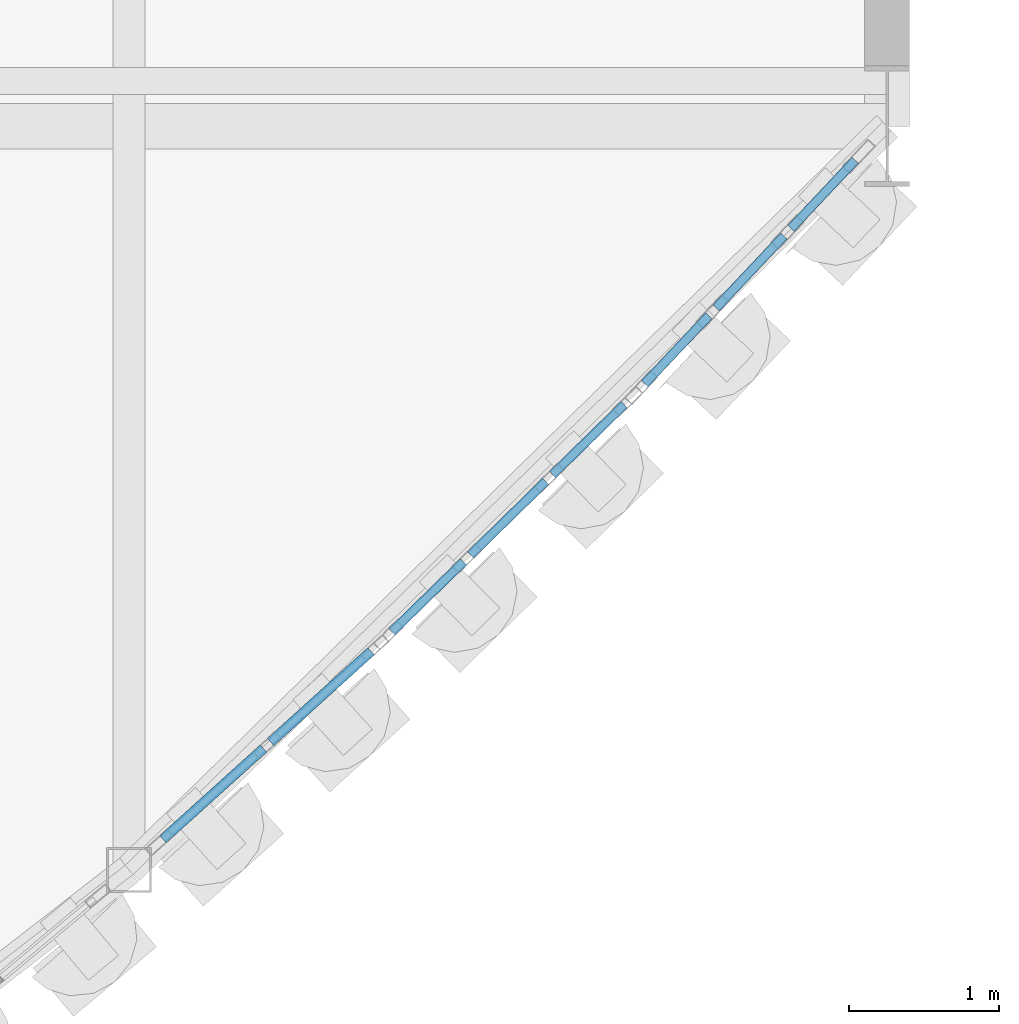
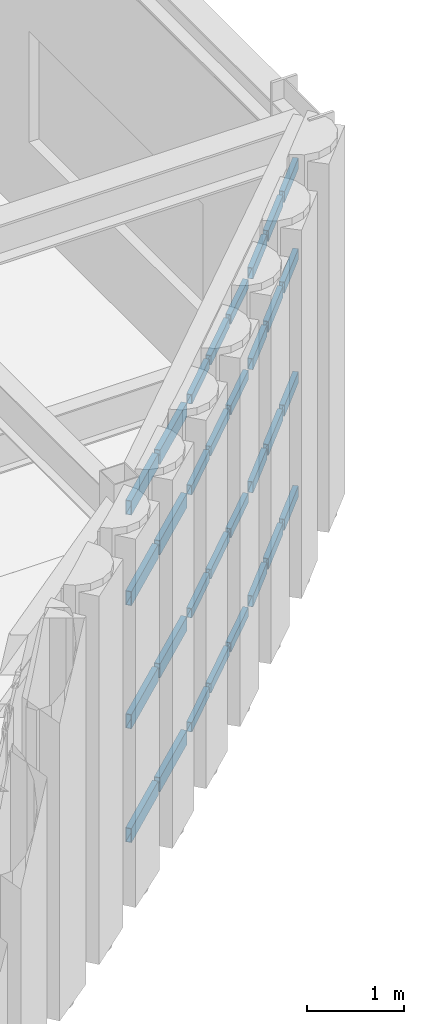
# One storey, part 73 of 121: 32 members, 3 elements without a shape of their own.
"""IFC4 building model written with IfcOpenShell, lengths in metres."""

from ifc_helpers import new_model, si_unit, direction, frame, origin, origin_2d, place, context, subcontext, project, spatial, hollow_rectangle, extrude, material, layer, layer_set, material_profile, profile_set, type_object, element, aggregate, save


model = new_model("IFC4")

# Units and contexts
model_context = context("Model", 3, precision=1e-05, world=origin(), true_north=direction((0.0, 1.0)))
body_context = subcontext(model_context, "Body", "Model", "MODEL_VIEW")
ifc_project = project(units=[si_unit("LENGTHUNIT", "METRE"), si_unit("AREAUNIT", "SQUARE_METRE"), si_unit("VOLUMEUNIT", "CUBIC_METRE"), si_unit("PLANEANGLEUNIT", "RADIAN"), si_unit("MASSUNIT", "GRAM", prefix="KILO")], contexts=[model_context])

# Site, building, storey
site_placement = place(None, origin())
site = spatial("IfcSite", under=ifc_project, at=site_placement, CompositionType="ELEMENT")
building_placement = place(site_placement, origin())
building = spatial("IfcBuilding", under=site, at=building_placement, Name="Solvadek Multi-Sports Hall", CompositionType="ELEMENT")
storey_placement = place(building_placement, frame((0.0, 0.0, 4.800048828125)))
storey = spatial("IfcBuildingStorey", under=building, at=storey_placement, Name="L01", CompositionType="ELEMENT", Elevation=4.800048828125)

# Curtain wall, members
ifc_material = material(Name="Anodised aluminium", Category="aluminium")
ifc_layer_1 = layer(ifc_material, 0.159912109375, Name="Anodised aluminium")
ifc_layer_set_1 = layer_set([ifc_layer_1], Name="Anodised aluminium")
curtain_wall_type_1 = type_object("IfcCurtainWallType", Name="ENV-CW-229X420", PredefinedType="USERDEFINED", material=ifc_layer_set_1)
curtain_wall_1_placement = place(storey_placement, origin())
curtain_wall_1 = element("IfcCurtainWall", 1, at=curtain_wall_1_placement, inside=storey, type_object=curtain_wall_type_1, Name="L01 Crescent Curved Curtain Wall #111", ObjectType="CURTAIN WALL", PredefinedType="USERDEFINED")
ifc_material_profile_1 = material_profile(ifc_material, hollow_rectangle(XDim=0.06005859375, YDim=0.1201171875, WallThickness=0.00390625, at=origin_2d()), Name="ALU-T 120x60x4")
ifc_profile_set_1 = profile_set([ifc_material_profile_1], Name="Anodised aluminium")
member_type_1 = type_object("IfcMemberType", Name="ENV-CWT-01", PredefinedType="USERDEFINED", material=ifc_profile_set_1)
member_1_placement = place(storey_placement, frame((133.5078125, 2.639892578125, 0.030029296875), z_axis=(0.715128871478, 0.698992630275, 0.0), x_axis=(-0.698992630275, 0.715128871478, 0.0)))
member_1 = element("IfcMember", 2, at=member_1_placement, type_object=member_type_1, Name="CW-36 transom 1.1", ObjectType="TRANSOM", PredefinedType="USERDEFINED", context=body_context, shape_type="SweptSolid", body=[
    extrude(hollow_rectangle(XDim=0.06005859375, YDim=0.1201171875, WallThickness=0.00390625, at=origin_2d()), origin(), (0.0, 0.0, 1.0), 0.665771484375),
])
member_2_placement = place(storey_placement, frame((133.5078125, 2.639892578125, 1.469970703125), z_axis=(0.715128871478, 0.698992630275, 0.0), x_axis=(-0.698992630275, 0.715128871478, 0.0)))
member_2 = element("IfcMember", 3, at=member_2_placement, type_object=member_type_1, Name="CW-36 transom 1.2", ObjectType="TRANSOM", PredefinedType="USERDEFINED", context=body_context, shape_type="SweptSolid", body=[
    extrude(hollow_rectangle(XDim=0.06005859375, YDim=0.1201171875, WallThickness=0.00390625, at=origin_2d()), origin(), (0.0, 0.0, 1.0), 0.665771484375),
])
member_3_placement = place(storey_placement, frame((133.5078125, 2.639892578125, 3.02392578125), z_axis=(0.715128871478, 0.698992630275, 0.0), x_axis=(-0.698992630275, 0.715128871478, 0.0)))
member_3 = element("IfcMember", 4, at=member_3_placement, type_object=member_type_1, Name="CW-36 transom 1.3", ObjectType="TRANSOM", PredefinedType="USERDEFINED", context=body_context, shape_type="SweptSolid", body=[
    extrude(hollow_rectangle(XDim=0.06005859375, YDim=0.1201171875, WallThickness=0.00390625, at=origin_2d()), origin(), (0.0, 0.0, 1.0), 0.665771484375),
])
member_4_placement = place(storey_placement, frame((133.5078125, 2.639892578125, 4.169921875), z_axis=(0.715128871478, 0.698992630275, 0.0), x_axis=(-0.698992630275, 0.715128871478, 0.0)))
member_4 = element("IfcMember", 5, at=member_4_placement, type_object=member_type_1, Name="CW-36 transom 1.4", ObjectType="TRANSOM", PredefinedType="USERDEFINED", context=body_context, shape_type="SweptSolid", body=[
    extrude(hollow_rectangle(XDim=0.06005859375, YDim=0.1201171875, WallThickness=0.00390625, at=origin_2d()), origin(), (0.0, 0.0, 1.0), 0.665771484375),
])
member_5_placement = place(storey_placement, frame((134.0302734375, 3.150634765625, 0.030029296875), z_axis=(0.714928995652, 0.699197061762, 0.0), x_axis=(-0.699197061762, 0.714928995652, 0.0)))
member_5 = element("IfcMember", 6, at=member_5_placement, type_object=member_type_1, Name="CW-36 transom 2.1", ObjectType="TRANSOM", PredefinedType="USERDEFINED", context=body_context, shape_type="SweptSolid", body=[
    extrude(hollow_rectangle(XDim=0.06005859375, YDim=0.1201171875, WallThickness=0.00390625, at=origin_2d()), origin(), (0.0, 0.0, 1.0), 0.6982421875),
])
member_6_placement = place(storey_placement, frame((134.0302734375, 3.150634765625, 1.469970703125), z_axis=(0.714928995652, 0.699197061762, 0.0), x_axis=(-0.699197061762, 0.714928995652, 0.0)))
member_6 = element("IfcMember", 7, at=member_6_placement, type_object=member_type_1, Name="CW-36 transom 2.2", ObjectType="TRANSOM", PredefinedType="USERDEFINED", context=body_context, shape_type="SweptSolid", body=[
    extrude(hollow_rectangle(XDim=0.06005859375, YDim=0.1201171875, WallThickness=0.00390625, at=origin_2d()), origin(), (0.0, 0.0, 1.0), 0.6982421875),
])
member_7_placement = place(storey_placement, frame((134.0302734375, 3.150634765625, 3.02392578125), z_axis=(0.714928995652, 0.699197061762, 0.0), x_axis=(-0.699197061762, 0.714928995652, 0.0)))
member_7 = element("IfcMember", 8, at=member_7_placement, type_object=member_type_1, Name="CW-36 transom 2.3", ObjectType="TRANSOM", PredefinedType="USERDEFINED", context=body_context, shape_type="SweptSolid", body=[
    extrude(hollow_rectangle(XDim=0.06005859375, YDim=0.1201171875, WallThickness=0.00390625, at=origin_2d()), origin(), (0.0, 0.0, 1.0), 0.6982421875),
])
member_8_placement = place(storey_placement, frame((134.0302734375, 3.150634765625, 4.169921875), z_axis=(0.714928995652, 0.699197061762, 0.0), x_axis=(-0.699197061762, 0.714928995652, 0.0)))
member_8 = element("IfcMember", 9, at=member_8_placement, type_object=member_type_1, Name="CW-36 transom 2.4", ObjectType="TRANSOM", PredefinedType="USERDEFINED", context=body_context, shape_type="SweptSolid", body=[
    extrude(hollow_rectangle(XDim=0.06005859375, YDim=0.1201171875, WallThickness=0.00390625, at=origin_2d()), origin(), (0.0, 0.0, 1.0), 0.6982421875),
])
member_9_placement = place(storey_placement, frame((134.576171875, 3.684326171875, 0.030029296875), z_axis=(0.714949618758, 0.699175974014, 0.0), x_axis=(-0.699175974014, 0.714949618758, 0.0)))
member_9 = element("IfcMember", 10, at=member_9_placement, type_object=member_type_1, Name="CW-36 transom 3.1", ObjectType="TRANSOM", PredefinedType="USERDEFINED", context=body_context, shape_type="SweptSolid", body=[
    extrude(hollow_rectangle(XDim=0.06005859375, YDim=0.1201171875, WallThickness=0.00390625, at=origin_2d()), origin(), (0.0, 0.0, 1.0), 0.66552734375),
])
member_10_placement = place(storey_placement, frame((134.576171875, 3.684326171875, 1.469970703125), z_axis=(0.714949618758, 0.699175974014, 0.0), x_axis=(-0.699175974014, 0.714949618758, 0.0)))
member_10 = element("IfcMember", 11, at=member_10_placement, type_object=member_type_1, Name="CW-36 transom 3.2", ObjectType="TRANSOM", PredefinedType="USERDEFINED", context=body_context, shape_type="SweptSolid", body=[
    extrude(hollow_rectangle(XDim=0.06005859375, YDim=0.1201171875, WallThickness=0.00390625, at=origin_2d()), origin(), (0.0, 0.0, 1.0), 0.66552734375),
])
member_11_placement = place(storey_placement, frame((134.576171875, 3.684326171875, 3.02392578125), z_axis=(0.714949618758, 0.699175974014, 0.0), x_axis=(-0.699175974014, 0.714949618758, 0.0)))
member_11 = element("IfcMember", 12, at=member_11_placement, type_object=member_type_1, Name="CW-36 transom 3.3", ObjectType="TRANSOM", PredefinedType="USERDEFINED", context=body_context, shape_type="SweptSolid", body=[
    extrude(hollow_rectangle(XDim=0.06005859375, YDim=0.1201171875, WallThickness=0.00390625, at=origin_2d()), origin(), (0.0, 0.0, 1.0), 0.66552734375),
])
member_12_placement = place(storey_placement, frame((134.576171875, 3.684326171875, 4.169921875), z_axis=(0.714949618758, 0.699175974014, 0.0), x_axis=(-0.699175974014, 0.714949618758, 0.0)))
member_12 = element("IfcMember", 13, at=member_12_placement, type_object=member_type_1, Name="CW-36 transom 3.4", ObjectType="TRANSOM", PredefinedType="USERDEFINED", context=body_context, shape_type="SweptSolid", body=[
    extrude(hollow_rectangle(XDim=0.06005859375, YDim=0.1201171875, WallThickness=0.00390625, at=origin_2d()), origin(), (0.0, 0.0, 1.0), 0.66552734375),
])
aggregate(curtain_wall_1, [member_1, member_2, member_3, member_4, member_5, member_6, member_7, member_8, member_9, member_10, member_11, member_12])

ifc_layer_2 = layer(ifc_material, 0.159912109375, Name="Anodised aluminium")
ifc_layer_set_2 = layer_set([ifc_layer_2], Name="Anodised aluminium")
curtain_wall_type_2 = type_object("IfcCurtainWallType", Name="ENV-CW-218X420", PredefinedType="USERDEFINED", material=ifc_layer_set_2)
curtain_wall_2_placement = place(storey_placement, origin())
curtain_wall_2 = element("IfcCurtainWall", 14, at=curtain_wall_2_placement, inside=storey, type_object=curtain_wall_type_2, Name="L01 Crescent Curved Curtain Wall #113", ObjectType="CURTAIN WALL", PredefinedType="USERDEFINED")
ifc_material_profile_2 = material_profile(ifc_material, hollow_rectangle(XDim=0.06005859375, YDim=0.139892578125, WallThickness=0.00390625, at=origin_2d()), Name="ALU-T 140x60x4")
ifc_profile_set_2 = profile_set([ifc_material_profile_2], Name="Anodised aluminium")
member_type_2 = type_object("IfcMemberType", Name="ENV-CWT-02", PredefinedType="USERDEFINED", material=ifc_profile_set_2)
member_13_placement = place(storey_placement, frame((135.1884765625, 4.288818359375, 0.030029296875), z_axis=(0.685793149258, 0.72779650757, 0.0), x_axis=(-0.72779650757, 0.685793149258, 0.0)))
member_13 = element("IfcMember", 15, at=member_13_placement, type_object=member_type_2, Name="CW-37 transom 1.1", ObjectType="TRANSOM", PredefinedType="USERDEFINED", context=body_context, shape_type="SweptSolid", body=[
    extrude(hollow_rectangle(XDim=0.06005859375, YDim=0.139892578125, WallThickness=0.00390625, at=origin_2d()), origin(), (0.0, 0.0, 1.0), 0.621826171875),
])
member_14_placement = place(storey_placement, frame((135.1884765625, 4.288818359375, 1.469970703125), z_axis=(0.685793149258, 0.72779650757, 0.0), x_axis=(-0.72779650757, 0.685793149258, 0.0)))
member_14 = element("IfcMember", 16, at=member_14_placement, type_object=member_type_2, Name="CW-37 transom 1.2", ObjectType="TRANSOM", PredefinedType="USERDEFINED", context=body_context, shape_type="SweptSolid", body=[
    extrude(hollow_rectangle(XDim=0.06005859375, YDim=0.139892578125, WallThickness=0.00390625, at=origin_2d()), origin(), (0.0, 0.0, 1.0), 0.621826171875),
])
member_15_placement = place(storey_placement, frame((135.1884765625, 4.288818359375, 3.02392578125), z_axis=(0.685793149258, 0.72779650757, 0.0), x_axis=(-0.72779650757, 0.685793149258, 0.0)))
member_15 = element("IfcMember", 17, at=member_15_placement, type_object=member_type_2, Name="CW-37 transom 1.3", ObjectType="TRANSOM", PredefinedType="USERDEFINED", context=body_context, shape_type="SweptSolid", body=[
    extrude(hollow_rectangle(XDim=0.06005859375, YDim=0.139892578125, WallThickness=0.00390625, at=origin_2d()), origin(), (0.0, 0.0, 1.0), 0.621826171875),
])
member_16_placement = place(storey_placement, frame((135.1884765625, 4.288818359375, 4.169921875), z_axis=(0.685793149258, 0.72779650757, 0.0), x_axis=(-0.72779650757, 0.685793149258, 0.0)))
member_16 = element("IfcMember", 18, at=member_16_placement, type_object=member_type_2, Name="CW-37 transom 1.4", ObjectType="TRANSOM", PredefinedType="USERDEFINED", context=body_context, shape_type="SweptSolid", body=[
    extrude(hollow_rectangle(XDim=0.06005859375, YDim=0.139892578125, WallThickness=0.00390625, at=origin_2d()), origin(), (0.0, 0.0, 1.0), 0.621826171875),
])
member_17_placement = place(storey_placement, frame((135.662841796875, 4.79248046875, 0.030029296875), z_axis=(0.685608077918, 0.727970853464, 0.0), x_axis=(-0.727970853464, 0.685608077918, 0.0)))
member_17 = element("IfcMember", 19, at=member_17_placement, type_object=member_type_2, Name="CW-37 transom 2.1", ObjectType="TRANSOM", PredefinedType="USERDEFINED", context=body_context, shape_type="SweptSolid", body=[
    extrude(hollow_rectangle(XDim=0.06005859375, YDim=0.139892578125, WallThickness=0.00390625, at=origin_2d()), origin(), (0.0, 0.0, 1.0), 0.656982421875),
])
member_18_placement = place(storey_placement, frame((135.662841796875, 4.79248046875, 1.469970703125), z_axis=(0.685608077918, 0.727970853464, 0.0), x_axis=(-0.727970853464, 0.685608077918, 0.0)))
member_18 = element("IfcMember", 20, at=member_18_placement, type_object=member_type_2, Name="CW-37 transom 2.2", ObjectType="TRANSOM", PredefinedType="USERDEFINED", context=body_context, shape_type="SweptSolid", body=[
    extrude(hollow_rectangle(XDim=0.06005859375, YDim=0.139892578125, WallThickness=0.00390625, at=origin_2d()), origin(), (0.0, 0.0, 1.0), 0.656982421875),
])
member_19_placement = place(storey_placement, frame((135.662841796875, 4.79248046875, 3.02392578125), z_axis=(0.685608077918, 0.727970853464, 0.0), x_axis=(-0.727970853464, 0.685608077918, 0.0)))
member_19 = element("IfcMember", 21, at=member_19_placement, type_object=member_type_2, Name="CW-37 transom 2.3", ObjectType="TRANSOM", PredefinedType="USERDEFINED", context=body_context, shape_type="SweptSolid", body=[
    extrude(hollow_rectangle(XDim=0.06005859375, YDim=0.139892578125, WallThickness=0.00390625, at=origin_2d()), origin(), (0.0, 0.0, 1.0), 0.656982421875),
])
member_20_placement = place(storey_placement, frame((135.662841796875, 4.79248046875, 4.169921875), z_axis=(0.685608077918, 0.727970853464, 0.0), x_axis=(-0.727970853464, 0.685608077918, 0.0)))
member_20 = element("IfcMember", 22, at=member_20_placement, type_object=member_type_2, Name="CW-37 transom 2.4", ObjectType="TRANSOM", PredefinedType="USERDEFINED", context=body_context, shape_type="SweptSolid", body=[
    extrude(hollow_rectangle(XDim=0.06005859375, YDim=0.139892578125, WallThickness=0.00390625, at=origin_2d()), origin(), (0.0, 0.0, 1.0), 0.656982421875),
])
member_21_placement = place(storey_placement, frame((136.1611328125, 5.321533203125, 0.030029296875), z_axis=(0.685389187864, 0.728176943578, 0.0), x_axis=(-0.728176943578, 0.685389187864, 0.0)))
member_21 = element("IfcMember", 23, at=member_21_placement, type_object=member_type_2, Name="CW-37 transom 3.1", ObjectType="TRANSOM", PredefinedType="USERDEFINED", context=body_context, shape_type="SweptSolid", body=[
    extrude(hollow_rectangle(XDim=0.06005859375, YDim=0.139892578125, WallThickness=0.00390625, at=origin_2d()), origin(), (0.0, 0.0, 1.0), 0.621826171875),
])
member_22_placement = place(storey_placement, frame((136.1611328125, 5.321533203125, 1.469970703125), z_axis=(0.685389187864, 0.728176943578, 0.0), x_axis=(-0.728176943578, 0.685389187864, 0.0)))
member_22 = element("IfcMember", 24, at=member_22_placement, type_object=member_type_2, Name="CW-37 transom 3.2", ObjectType="TRANSOM", PredefinedType="USERDEFINED", context=body_context, shape_type="SweptSolid", body=[
    extrude(hollow_rectangle(XDim=0.06005859375, YDim=0.139892578125, WallThickness=0.00390625, at=origin_2d()), origin(), (0.0, 0.0, 1.0), 0.621826171875),
])
member_23_placement = place(storey_placement, frame((136.1611328125, 5.321533203125, 3.02392578125), z_axis=(0.685389187864, 0.728176943578, 0.0), x_axis=(-0.728176943578, 0.685389187864, 0.0)))
member_23 = element("IfcMember", 25, at=member_23_placement, type_object=member_type_2, Name="CW-37 transom 3.3", ObjectType="TRANSOM", PredefinedType="USERDEFINED", context=body_context, shape_type="SweptSolid", body=[
    extrude(hollow_rectangle(XDim=0.06005859375, YDim=0.139892578125, WallThickness=0.00390625, at=origin_2d()), origin(), (0.0, 0.0, 1.0), 0.621826171875),
])
member_24_placement = place(storey_placement, frame((136.1611328125, 5.321533203125, 4.169921875), z_axis=(0.685389187864, 0.728176943578, 0.0), x_axis=(-0.728176943578, 0.685389187864, 0.0)))
member_24 = element("IfcMember", 26, at=member_24_placement, type_object=member_type_2, Name="CW-37 transom 3.4", ObjectType="TRANSOM", PredefinedType="USERDEFINED", context=body_context, shape_type="SweptSolid", body=[
    extrude(hollow_rectangle(XDim=0.06005859375, YDim=0.139892578125, WallThickness=0.00390625, at=origin_2d()), origin(), (0.0, 0.0, 1.0), 0.621826171875),
])
aggregate(curtain_wall_2, [member_13, member_14, member_15, member_16, member_17, member_18, member_19, member_20, member_21, member_22, member_23, member_24])

ifc_layer_3 = layer(ifc_material, 0.159912109375, Name="Anodised aluminium")
ifc_layer_set_3 = layer_set([ifc_layer_3], Name="Anodised aluminium")
curtain_wall_type_3 = type_object("IfcCurtainWallType", Name="ENV-CW-199X420", PredefinedType="USERDEFINED", material=ifc_layer_set_3)
curtain_wall_3_placement = place(storey_placement, origin())
curtain_wall_3 = element("IfcCurtainWall", 27, at=curtain_wall_3_placement, inside=storey, type_object=curtain_wall_type_3, Name="L01 Crescent Curved Curtain Wall #109", ObjectType="CURTAIN WALL", PredefinedType="USERDEFINED")
ifc_material_profile_3 = material_profile(ifc_material, hollow_rectangle(XDim=0.06494140625, YDim=0.179931640625, WallThickness=0.0048828125, at=origin_2d()), Name="ALU-T 180x65x5")
ifc_profile_set_3 = profile_set([ifc_material_profile_3], Name="Anodised aluminium")
member_type_3 = type_object("IfcMemberType", Name="ENV-CWT-04", PredefinedType="USERDEFINED", material=ifc_profile_set_3)
member_25_placement = place(storey_placement, frame((131.986328125, 1.2607421875, 0.032470703125), z_axis=(0.742159264626, 0.670223564141, 0.0), x_axis=(-0.670223564141, 0.742159264626, 0.0)))
member_25 = element("IfcMember", 28, at=member_25_placement, type_object=member_type_3, Name="CW-35 transom 1.1", ObjectType="TRANSOM", PredefinedType="USERDEFINED", context=body_context, shape_type="SweptSolid", body=[
    extrude(hollow_rectangle(XDim=0.06494140625, YDim=0.179931640625, WallThickness=0.0048828125, at=origin_2d()), origin(), (0.0, 0.0, 1.0), 0.8994140625),
])
member_26_placement = place(storey_placement, frame((131.986328125, 1.2607421875, 1.469970703125), z_axis=(0.742159264626, 0.670223564141, 0.0), x_axis=(-0.670223564141, 0.742159264626, 0.0)))
member_26 = element("IfcMember", 29, at=member_26_placement, type_object=member_type_3, Name="CW-35 transom 1.2", ObjectType="TRANSOM", PredefinedType="USERDEFINED", context=body_context, shape_type="SweptSolid", body=[
    extrude(hollow_rectangle(XDim=0.06494140625, YDim=0.179931640625, WallThickness=0.0048828125, at=origin_2d()), origin(), (0.0, 0.0, 1.0), 0.8994140625),
])
member_27_placement = place(storey_placement, frame((131.986328125, 1.2607421875, 3.02392578125), z_axis=(0.742159264626, 0.670223564141, 0.0), x_axis=(-0.670223564141, 0.742159264626, 0.0)))
member_27 = element("IfcMember", 30, at=member_27_placement, type_object=member_type_3, Name="CW-35 transom 1.3", ObjectType="TRANSOM", PredefinedType="USERDEFINED", context=body_context, shape_type="SweptSolid", body=[
    extrude(hollow_rectangle(XDim=0.06494140625, YDim=0.179931640625, WallThickness=0.0048828125, at=origin_2d()), origin(), (0.0, 0.0, 1.0), 0.8994140625),
])
member_28_placement = place(storey_placement, frame((131.986328125, 1.2607421875, 4.16748046875), z_axis=(0.742159264626, 0.670223564141, 0.0), x_axis=(-0.670223564141, 0.742159264626, 0.0)))
member_28 = element("IfcMember", 31, at=member_28_placement, type_object=member_type_3, Name="CW-35 transom 1.4", ObjectType="TRANSOM", PredefinedType="USERDEFINED", context=body_context, shape_type="SweptSolid", body=[
    extrude(hollow_rectangle(XDim=0.06494140625, YDim=0.179931640625, WallThickness=0.0048828125, at=origin_2d()), origin(), (0.0, 0.0, 1.0), 0.8994140625),
])
member_29_placement = place(storey_placement, frame((132.701904296875, 1.906982421875, 0.032470703125), z_axis=(0.742159264626, 0.670223564141, 0.0), x_axis=(-0.670223564141, 0.742159264626, 0.0)))
member_29 = element("IfcMember", 32, at=member_29_placement, type_object=member_type_3, Name="CW-35 transom 2.1", ObjectType="TRANSOM", PredefinedType="USERDEFINED", context=body_context, shape_type="SweptSolid", body=[
    extrude(hollow_rectangle(XDim=0.06494140625, YDim=0.179931640625, WallThickness=0.0048828125, at=origin_2d()), origin(), (0.0, 0.0, 1.0), 0.8994140625),
])
member_30_placement = place(storey_placement, frame((132.701904296875, 1.906982421875, 1.469970703125), z_axis=(0.742159264626, 0.670223564141, 0.0), x_axis=(-0.670223564141, 0.742159264626, 0.0)))
member_30 = element("IfcMember", 33, at=member_30_placement, type_object=member_type_3, Name="CW-35 transom 2.2", ObjectType="TRANSOM", PredefinedType="USERDEFINED", context=body_context, shape_type="SweptSolid", body=[
    extrude(hollow_rectangle(XDim=0.06494140625, YDim=0.179931640625, WallThickness=0.0048828125, at=origin_2d()), origin(), (0.0, 0.0, 1.0), 0.8994140625),
])
member_31_placement = place(storey_placement, frame((132.701904296875, 1.906982421875, 3.02392578125), z_axis=(0.742159264626, 0.670223564141, 0.0), x_axis=(-0.670223564141, 0.742159264626, 0.0)))
member_31 = element("IfcMember", 34, at=member_31_placement, type_object=member_type_3, Name="CW-35 transom 2.3", ObjectType="TRANSOM", PredefinedType="USERDEFINED", context=body_context, shape_type="SweptSolid", body=[
    extrude(hollow_rectangle(XDim=0.06494140625, YDim=0.179931640625, WallThickness=0.0048828125, at=origin_2d()), origin(), (0.0, 0.0, 1.0), 0.8994140625),
])
member_32_placement = place(storey_placement, frame((132.701904296875, 1.906982421875, 4.16748046875), z_axis=(0.742159264626, 0.670223564141, 0.0), x_axis=(-0.670223564141, 0.742159264626, 0.0)))
member_32 = element("IfcMember", 35, at=member_32_placement, type_object=member_type_3, Name="CW-35 transom 2.4", ObjectType="TRANSOM", PredefinedType="USERDEFINED", context=body_context, shape_type="SweptSolid", body=[
    extrude(hollow_rectangle(XDim=0.06494140625, YDim=0.179931640625, WallThickness=0.0048828125, at=origin_2d()), origin(), (0.0, 0.0, 1.0), 0.8994140625),
])
aggregate(curtain_wall_3, [member_25, member_26, member_27, member_28, member_29, member_30, member_31, member_32])

save(model, "model.ifc")
